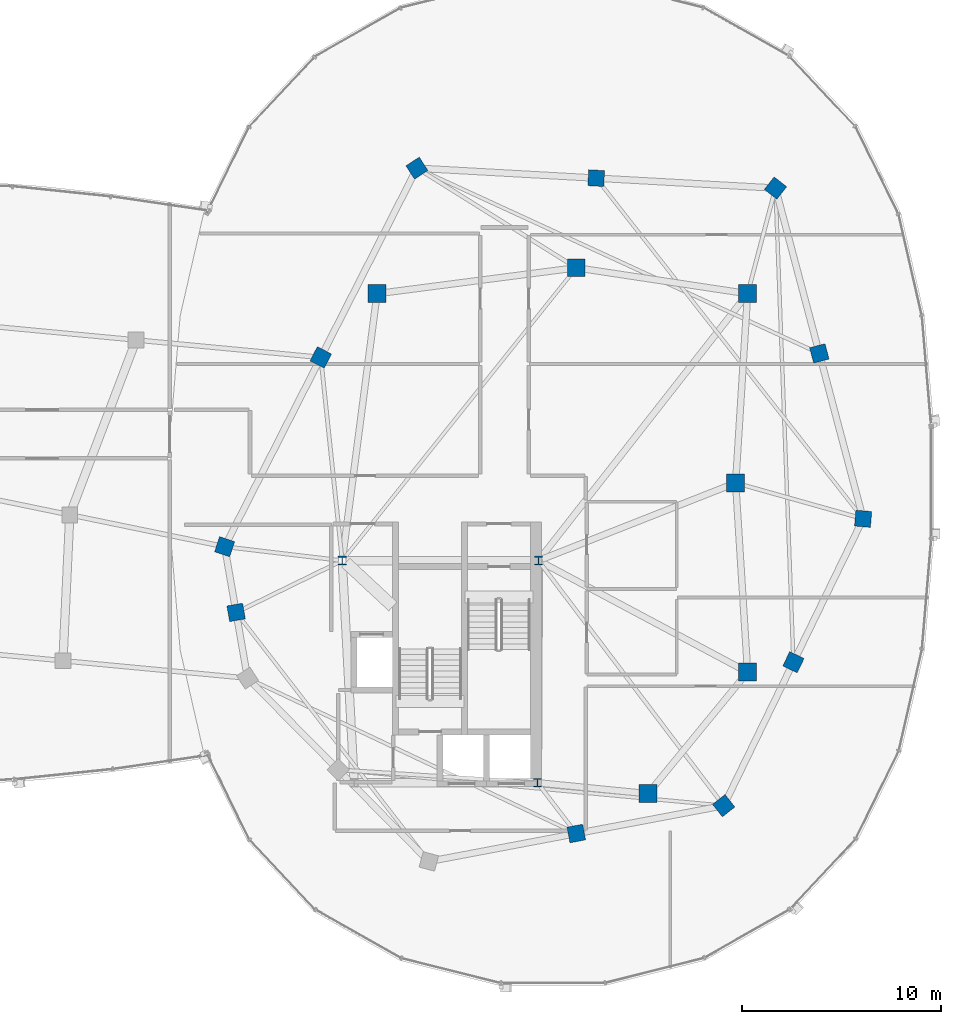
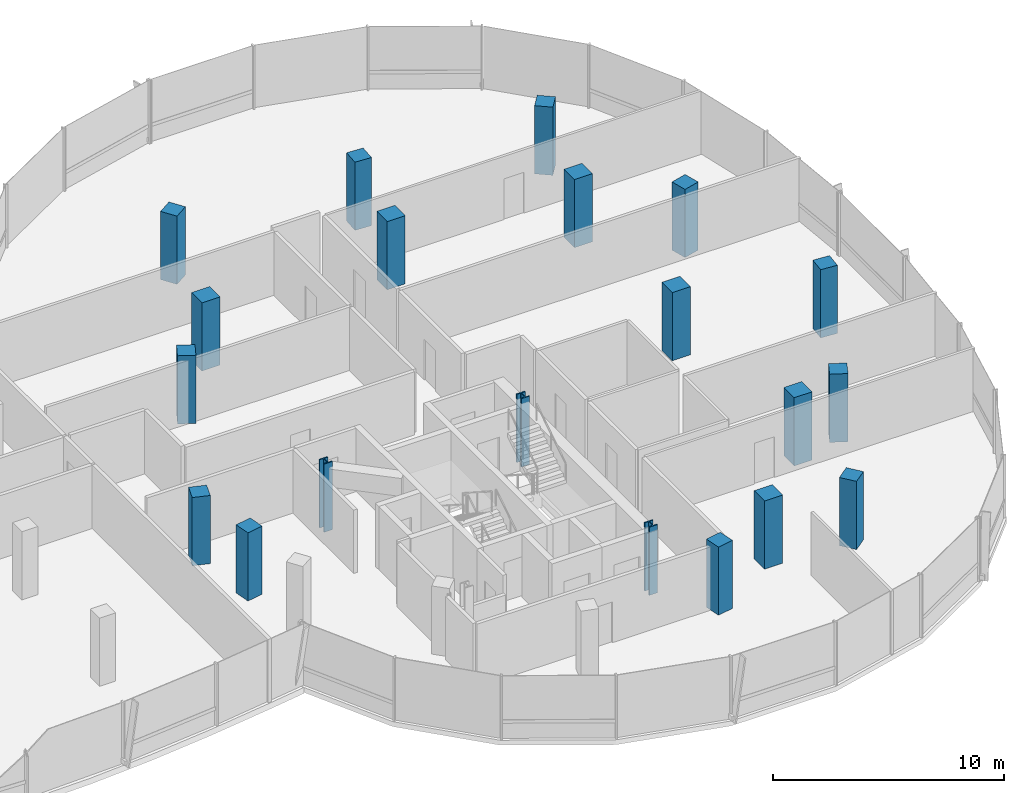
# One storey, part 2 of 25: 20 columns.
"""IFC4 building model written with IfcOpenShell, lengths in metres."""

from ifc_helpers import new_model, si_unit, direction, frame, origin, origin_2d, place, context, subcontext, project, spatial, rectangle, i_section, extrude, material, material_profile, profile_set, type_object, element, save


model = new_model("IFC4")

# Units and contexts
model_context = context("Model", 3, precision=1e-05, world=origin(), true_north=direction((0.0, 1.0)))
body_context = subcontext(model_context, "Body", "Model", "MODEL_VIEW")
ifc_project = project(units=[si_unit("LENGTHUNIT", "METRE"), si_unit("AREAUNIT", "SQUARE_METRE"), si_unit("VOLUMEUNIT", "CUBIC_METRE"), si_unit("PLANEANGLEUNIT", "RADIAN"), si_unit("MASSUNIT", "GRAM", prefix="KILO"), si_unit("THERMODYNAMICTEMPERATUREUNIT", "KELVIN"), si_unit("POWERUNIT", "WATT")], contexts=[model_context])

# Site, building, storey
site_placement = place(None, origin())
site = spatial("IfcSite", under=ifc_project, at=site_placement, CompositionType="ELEMENT")
building_placement = place(site_placement, origin())
building = spatial("IfcBuilding", under=site, at=building_placement, Name="Cundina Bronze Exchange", CompositionType="ELEMENT")
storey_placement = place(building_placement, frame((0.0, 0.0, 250.39990234375)))
storey = spatial("IfcBuildingStorey", under=building, at=storey_placement, Name="L66", CompositionType="ELEMENT", Elevation=250.39990234375)

# Columns
ifc_material_1 = material(Name="Concrete C50/60", Category="concrete")
ifc_material_profile_1 = material_profile(ifc_material_1, rectangle(XDim=0.800048828125, YDim=0.800048828125, at=origin_2d()), Name="RC800X800", Category="concrete")
ifc_profile_set_1 = profile_set([ifc_material_profile_1], Name="Concrete C50/60")
column_type_1 = type_object("IfcColumnType", Name="COL-BRG-800", PredefinedType="COLUMN", material=ifc_profile_set_1)
for number, where, z_axis, x_axis, name in (
    (1, (15.550048828125, -3.199951171875, 0.0), (0.0, 0.0, 1.0), (-0.315152163383, -0.949041155016, 0.0), "L66 E Perimeter Column 00"),
    (2, (16.125, -6.5, 0.0), (0.0, 0.0, 1.0), (0.171585221787, -0.985169280715, 0.0), "L66 E Perimeter Column 01"),
    (3, (33.199951171875, -17.60009765625, 0.0), (0.0, 0.0, 1.0), (0.98258037664, 0.185838110843, 0.0), "L66 E Perimeter Column 05"),
    (4, (40.60009765625, -16.199951171875, 0.0), (0.0, 0.0, 1.0), (0.785100778485, 0.619368038909, 0.0), "L66 E Perimeter Column 06"),
    (5, (44.10009765625, -9.0, 0.0), (0.0, 0.0, 1.0), (0.437115766651, 0.899405251566, 0.0), "L66 E Perimeter Column 07"),
    (6, (47.60009765625, -1.800048828125, 0.0), (0.0, 0.0, 1.0), (0.083503921245, 0.996507448611, 0.0), "L66 E Perimeter Column 08"),
    (7, (45.39990234375, 6.5, 0.0), (0.0, 0.0, 1.0), (-0.256289373133, 0.966600102017, 0.0), "L66 E Perimeter Column 09"),
    (8, (43.199951171875, 14.800048828125, 0.0), (0.0, 0.0, 1.0), (-0.786288432137, 0.61785961309, 0.0), "L66 E Perimeter Column 10"),
    (9, (34.199951171875, 15.300048828125, 0.0), (0.0, 0.0, 1.0), (-0.998460188734, 0.055472980025, 0.0), "L66 E Perimeter Column 11"),
    (10, (25.199951171875, 15.800048828125, 0.0), (0.0, 0.0, 1.0), (-0.838099763533, -0.545516989988, 0.0), "L66 E Perimeter Column 12"),
    (11, (20.375, 6.300048828125, 0.0), (0.0, 0.0, 1.0), (-0.452901591366, -0.891560513111, 0.0), "L66 E Perimeter Column 13"),
):
    element("IfcColumn", number, at=place(storey_placement, frame(where, z_axis=z_axis, x_axis=x_axis)), inside=storey, type_object=column_type_1, Name=name, PredefinedType="COLUMN", context=body_context, shape_type="SweptSolid", body=[
        extrude(rectangle(XDim=0.800048828125, YDim=0.800048828125, at=origin_2d()), origin(), (0.0, 0.0, 1.0), 3.60009765625),
    ])
ifc_material_2 = material(Name="Steel ASTM A992 Grade 50", Category="steel")
ifc_material_profile_2 = material_profile(ifc_material_2, i_section(OverallWidth=0.416015625, OverallDepth=0.446044921875, WebThickness=0.0390625, FlangeThickness=0.062744140625, FilletRadius=0.01806640625, at=origin_2d()), Name="W14X342", Category="steel")
ifc_profile_set_2 = profile_set([ifc_material_profile_2], Name="Steel ASTM A992 Grade 50")
column_type_2 = type_object("IfcColumnType", Name="COL-STL-W14B", PredefinedType="COLUMN", material=ifc_profile_set_2)
for number, where, z_axis, x_axis, name in (
    (12, (31.300048828125, -3.89990234375, 0.0), (0.0, 0.0, 1.0), (1.0, 0.0, 0.0), "L66 Core Anchor Column E1"),
    (13, (21.449951171875, -3.89990234375, 0.0), (0.0, 0.0, 1.0), (1.0, 0.0, 0.0), "L66 Core Anchor Column E2"),
    (14, (31.25, -15.050048828125, 0.0), (0.0, 0.0, 1.0), (1.0, 0.0, 0.0), "L66 Core Anchor Column E4"),
):
    element("IfcColumn", number, at=place(storey_placement, frame(where, z_axis=z_axis, x_axis=x_axis)), inside=storey, type_object=column_type_2, Name=name, PredefinedType="COLUMN", context=body_context, shape_type="SweptSolid", body=[
        extrude(i_section(OverallWidth=0.416015625, OverallDepth=0.446044921875, WebThickness=0.0390625, FlangeThickness=0.062744140625, FilletRadius=0.01806640625, at=origin_2d()), origin(), (0.0, 0.0, 1.0), 3.60009765625),
    ])
ifc_material_profile_3 = material_profile(ifc_material_1, rectangle(XDim=0.89990234375, YDim=0.89990234375, at=origin_2d()), Name="RC900X900", Category="concrete")
ifc_profile_set_3 = profile_set([ifc_material_profile_3], Name="Concrete C50/60")
column_type_3 = type_object("IfcColumnType", Name="COL-Z4-900", PredefinedType="COLUMN", material=ifc_profile_set_3)
for number, where, z_axis, x_axis, name in (
    (15, (41.199951171875, 0.0, 0.0), (0.0, 0.0, 1.0), (1.0, 0.0, 0.0), "L66 E Inner Ring Column 1"),
    (16, (41.800048828125, -9.5, 0.0), (0.0, 0.0, 1.0), (1.0, 0.0, 0.0), "L66 E Inner Ring Column 2"),
    (17, (36.800048828125, -15.60009765625, 0.0), (0.0, 0.0, 1.0), (1.0, 0.0, 0.0), "L66 E Inner Ring Column 3"),
    (18, (41.800048828125, 9.5, 0.0), (0.0, 0.0, 1.0), (1.0, 0.0, 0.0), "L66 E Inner Ring Column 4"),
    (19, (33.199951171875, 10.800048828125, 0.0), (0.0, 0.0, 1.0), (1.0, 0.0, 0.0), "L66 E Inner Ring Column 5"),
    (20, (23.199951171875, 9.5, 0.0), (0.0, 0.0, 1.0), (1.0, 0.0, 0.0), "L66 E Inner Ring Column 6"),
):
    element("IfcColumn", number, at=place(storey_placement, frame(where, z_axis=z_axis, x_axis=x_axis)), inside=storey, type_object=column_type_3, Name=name, PredefinedType="COLUMN", context=body_context, shape_type="SweptSolid", body=[
        extrude(rectangle(XDim=0.89990234375, YDim=0.89990234375, at=origin_2d()), origin(), (0.0, 0.0, 1.0), 3.60009765625),
    ])

save(model, "model.ifc")
